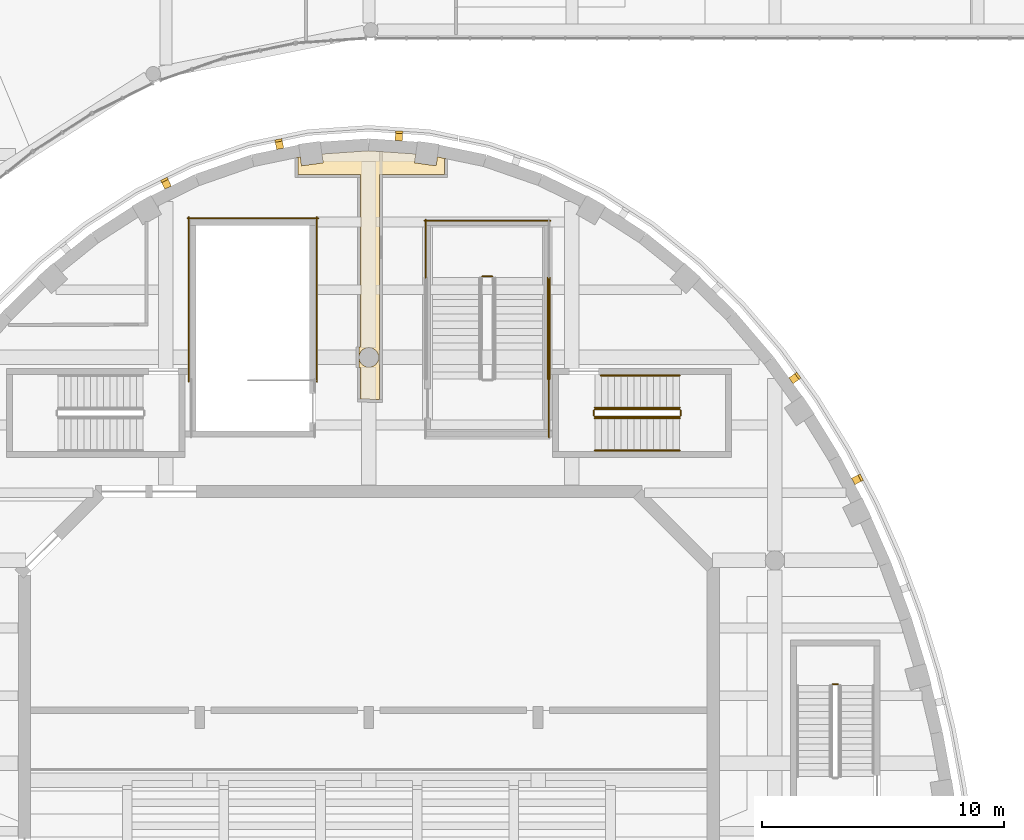
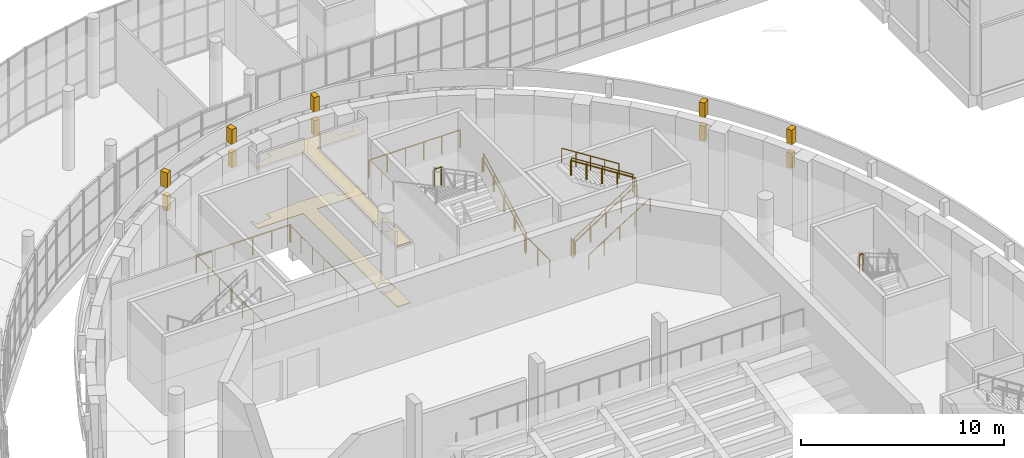
# One storey, part 112 of 119: 18 railings, 12 coverings.
"""IFC4 building model written with IfcOpenShell, lengths in metres."""

from ifc_helpers import new_model, si_unit, direction, frame, origin, origin_2d, place, context, subcontext, project, spatial, polyline, rectangle, circle, outline, extrude, material, layer, layer_set, type_object, element, save


model = new_model("IFC4")

# Units and contexts
model_context = context("Model", 3, precision=1e-05, world=origin(), true_north=direction((0.0, 1.0)))
body_context = subcontext(model_context, "Body", "Model", "MODEL_VIEW")
ifc_project = project(units=[si_unit("LENGTHUNIT", "METRE"), si_unit("AREAUNIT", "SQUARE_METRE"), si_unit("VOLUMEUNIT", "CUBIC_METRE"), si_unit("PLANEANGLEUNIT", "RADIAN"), si_unit("MASSUNIT", "GRAM", prefix="KILO")], contexts=[model_context])

# Site, building, storey
site_placement = place(None, origin())
site = spatial("IfcSite", under=ifc_project, at=site_placement, CompositionType="ELEMENT")
building_placement = place(site_placement, origin())
building = spatial("IfcBuilding", under=site, at=building_placement, Name="Larchfold Concert Hall", CompositionType="ELEMENT")
storey_placement = place(building_placement, frame((0.0, 0.0, 4.800048828125)))
storey = spatial("IfcBuildingStorey", under=building, at=storey_placement, Name="L01", CompositionType="ELEMENT", Elevation=4.800048828125)

# Coverings
ifc_material_1 = material(Name="Mineral fibre ceiling tile")
ifc_layer_1 = layer(ifc_material_1, 0.02001953125)
ifc_layer_set_1 = layer_set([ifc_layer_1], Name="Mineral fibre ceiling tile")
covering_type_1 = type_object("IfcCoveringType", Name="Ceiling mineral fibre tile 20", PredefinedType="CEILING", material=ifc_layer_set_1)
covering_1_placement = place(storey_placement, frame((0.0, 0.0, 3.679931640625)))
element("IfcCovering", 1, at=covering_1_placement, inside=storey, type_object=covering_type_1, Name="Ceiling Public Toilets", PredefinedType="CEILING", context=body_context, shape_type="SweptSolid", body=[
    extrude(outline(polyline([(39.66357421875, 118.049560546875), (39.67041015625, 117.3154296875), (39.67041015625, 117.361572265625), (42.261474609375, 117.361572265625), (42.261474609375, 110.219970703125), (42.199951171875, 110.219970703125), (42.199951171875, 109.86181640625), (42.224853515625, 109.955322265625), (42.27783203125, 110.046875), (42.31298828125, 110.087158203125), (42.353271484375, 110.122314453125), (42.444580078125, 110.175048828125), (42.4951171875, 110.1923828125), (42.60009765625, 110.2060546875), (42.705078125, 110.1923828125), (42.755615234375, 110.175048828125), (42.846923828125, 110.122314453125), (42.88720703125, 110.087158203125), (42.92236328125, 110.046875), (42.975341796875, 109.955322265625), (43.00244140625, 109.853271484375), (43.006103515625, 109.800048828125), (43.00244140625, 109.746826171875), (42.975341796875, 109.644775390625), (42.92236328125, 109.55322265625), (42.88720703125, 109.512939453125), (42.846923828125, 109.477783203125), (42.755615234375, 109.425048828125), (42.705078125, 109.40771484375), (42.60009765625, 109.39404296875), (42.4951171875, 109.40771484375), (42.444580078125, 109.425048828125), (42.35302734375, 109.477783203125), (42.27783203125, 109.552978515625), (42.224853515625, 109.644775390625), (42.199951171875, 109.73828125), (42.199951171875, 109.380126953125), (42.261474609375, 109.380126953125), (42.261474609375, 108.071533203125), (42.199951171875, 108.071533203125), (43.031494140625, 108.064208984375), (43.03857421875, 117.361572265625), (45.792724609375, 117.361572265625), (45.730224609375, 117.3623046875), (45.7373046875, 118.0078125), (45.799560546875, 118.007080078125), (45.799560546875, 118.017333984375), (45.433837890625, 118.093017578125), (45.383544921875, 117.7275390625), (44.491943359375, 117.8505859375), (44.542236328125, 118.215576171875), (42.60009765625, 118.349609375), (40.657958984375, 118.215576171875), (40.708251953125, 117.8505859375), (39.816650390625, 117.7275390625), (39.766357421875, 118.093017578125), (39.6005859375, 118.05859375), (39.6005859375, 118.049072265625), (39.66357421875, 118.049560546875)])), origin(), (0.0, 0.0, 1.0), 0.02001953125),
])
ifc_material_2 = material(Name="Ceramic tile")
ifc_layer_2 = layer(ifc_material_2, 0.030029296875)
ifc_layer_set_2 = layer_set([ifc_layer_2], Name="Ceramic tile")
covering_type_2 = type_object("IfcCoveringType", Name="Floor finish ceramic tile 30", PredefinedType="FLOORING", material=ifc_layer_set_2)
covering_2_placement = place(storey_placement, origin())
element("IfcCovering", 2, at=covering_2_placement, inside=storey, type_object=covering_type_2, Name="Floor finish Public Toilets", PredefinedType="FLOORING", context=body_context, shape_type="SweptSolid", body=[
    extrude(outline(polyline([(39.66357421875, 118.049560546875), (39.67041015625, 117.3154296875), (39.67041015625, 117.361572265625), (42.261474609375, 117.361572265625), (42.261474609375, 110.219970703125), (42.199951171875, 110.219970703125), (42.199951171875, 109.86181640625), (42.224853515625, 109.955322265625), (42.27783203125, 110.046875), (42.31298828125, 110.087158203125), (42.353271484375, 110.122314453125), (42.444580078125, 110.175048828125), (42.4951171875, 110.1923828125), (42.60009765625, 110.2060546875), (42.705078125, 110.1923828125), (42.755615234375, 110.175048828125), (42.846923828125, 110.122314453125), (42.88720703125, 110.087158203125), (42.92236328125, 110.046875), (42.975341796875, 109.955322265625), (43.00244140625, 109.853271484375), (43.006103515625, 109.800048828125), (43.00244140625, 109.746826171875), (42.975341796875, 109.644775390625), (42.92236328125, 109.55322265625), (42.88720703125, 109.512939453125), (42.846923828125, 109.477783203125), (42.755615234375, 109.425048828125), (42.705078125, 109.40771484375), (42.60009765625, 109.39404296875), (42.4951171875, 109.40771484375), (42.444580078125, 109.425048828125), (42.35302734375, 109.477783203125), (42.27783203125, 109.552978515625), (42.224853515625, 109.644775390625), (42.199951171875, 109.73828125), (42.199951171875, 109.380126953125), (42.261474609375, 109.380126953125), (42.261474609375, 108.071533203125), (42.199951171875, 108.071533203125), (43.031494140625, 108.064208984375), (43.03857421875, 117.361572265625), (45.792724609375, 117.361572265625), (45.730224609375, 117.3623046875), (45.7373046875, 118.0078125), (45.799560546875, 118.007080078125), (45.799560546875, 118.017333984375), (45.433837890625, 118.093017578125), (45.383544921875, 117.7275390625), (44.491943359375, 117.8505859375), (44.542236328125, 118.215576171875), (42.60009765625, 118.349609375), (40.657958984375, 118.215576171875), (40.708251953125, 117.8505859375), (39.816650390625, 117.7275390625), (39.766357421875, 118.093017578125), (39.6005859375, 118.05859375), (39.6005859375, 118.049072265625), (39.66357421875, 118.049560546875)])), origin(), (0.0, 0.0, 1.0), 0.030029296875),
])
ifc_material_3 = material(Name="Galvanised steel bracket", Category="steel")
ifc_layer_3 = layer(ifc_material_3, 0.300048828125)
ifc_layer_set_3 = layer_set([ifc_layer_3], Name="Galvanised steel bracket")
covering_type_3 = type_object("IfcCoveringType", Name="Ring support bracket", PredefinedType="CLADDING", material=ifc_layer_set_3)
for number, where, z_axis, x_axis, name in (
    (3, (62.771484375, 104.7333984375, 3.35009765625), (0.0, 0.0, 1.0), (0.88627377699, 0.463161734409, 0.0), "Ring bracket BR-R01-05"),
    (4, (60.18798828125, 108.919189453125, 3.35009765625), (0.0, 0.0, 1.0), (0.809814943436, 0.586685398989, 0.0), "Ring bracket BR-R01-06"),
    (5, (43.8408203125, 118.91552734375, 3.35009765625), (0.0, 0.0, 1.0), (0.068693386901, 0.997637819349, 0.0), "Ring bracket BR-R01-10"),
    (6, (38.90185546875, 118.57763671875, 3.35009765625), (0.0, 0.0, 1.0), (-0.203080334215, 0.979162079461, 0.0), "Ring bracket BR-R01-11"),
    (7, (34.227294921875, 116.959716796875, 3.35009765625), (0.0, 0.0, 1.0), (-0.44236895234, 0.89683315617, 0.0), "Ring bracket BR-R01-12"),
):
    element("IfcCovering", number, at=place(storey_placement, frame(where, z_axis=z_axis, x_axis=x_axis)), inside=storey, type_object=covering_type_3, Name=name, PredefinedType="CLADDING", context=body_context, shape_type="SweptSolid", body=[
        extrude(rectangle(XDim=0.300048828125, YDim=0.300048828125, at=origin_2d()), origin(), (0.0, 0.0, 1.0), 0.89990234375),
    ])
for number, where, z_axis, x_axis, name in (
    (8, (62.81591796875, 104.75634765625, 4.75), (0.0, 0.0, 1.0), (0.88627377699, 0.463161734409, 0.0), "Ring bracket BR-R02-05"),
    (9, (60.228515625, 108.948486328125, 4.75), (0.0, 0.0, 1.0), (0.809814943436, 0.586685398989, 0.0), "Ring bracket BR-R02-06"),
    (10, (43.84423828125, 118.96533203125, 4.75), (0.0, 0.0, 1.0), (0.068693386901, 0.997637819349, 0.0), "Ring bracket BR-R02-10"),
    (11, (38.8916015625, 118.626708984375, 4.75), (0.0, 0.0, 1.0), (-0.203080334215, 0.979162079461, 0.0), "Ring bracket BR-R02-11"),
    (12, (34.205322265625, 117.004638671875, 4.75), (0.0, 0.0, 1.0), (-0.44236895234, 0.89683315617, 0.0), "Ring bracket BR-R02-12"),
):
    element("IfcCovering", number, at=place(storey_placement, frame(where, z_axis=z_axis, x_axis=x_axis)), inside=storey, type_object=covering_type_3, Name=name, PredefinedType="CLADDING", context=body_context, shape_type="SweptSolid", body=[
        extrude(rectangle(XDim=0.39990234375, YDim=0.300048828125, at=origin_2d()), origin(), (0.0, 0.0, 1.0), 0.89990234375),
    ])

# Railings
ifc_material_4 = material(Name="Stainless steel balustrade", Category="steel")
railing_type_1 = type_object("IfcRailingType", Name="Stair guard 1100", PredefinedType="GUARDRAIL", material=ifc_material_4)
railing_1_placement = place(storey_placement, frame((62.0, 96.280029296875, 2.39990234375)))
element("IfcRailing", 13, at=railing_1_placement, inside=storey, type_object=railing_type_1, Name="Guard GR0002", PredefinedType="GUARDRAIL", context=body_context, shape_type="SweptSolid", body=[
    extrude(circle(Radius=0.02392578125, at=origin_2d()), frame((0.0, 0.0, 1.076171875), z_axis=(-1.0, 0.0, 0.0), x_axis=(0.0, -1.0, 0.0)), (0.0, 0.0, 1.0), 0.199951171875),
    extrude(circle(Radius=0.02099609375, at=origin_2d()), origin(), (0.0, 0.0, 1.0), 1.052001953125),
    extrude(circle(Radius=0.02099609375, at=origin_2d()), frame((-0.199951171875, 0.0, 0.0)), (0.0, 0.0, 1.0), 1.052001953125),
])
railing_2_placement = place(storey_placement, frame((51.949951171875, 107.349853515625, 0.17138671875)))
element("IfcRailing", 14, at=railing_2_placement, inside=storey, type_object=railing_type_1, Name="Guard GR0005", PredefinedType="GUARDRAIL", context=body_context, shape_type="SweptSolid", body=[
    extrude(circle(Radius=0.02392578125, at=origin_2d()), frame((0.0, 0.0, 1.076171875), z_axis=(0.844219563411, 0.0, 0.53599750816), x_axis=(0.0, 1.0, 0.0)), (0.0, 0.0, 1.0), 4.15771484375),
    extrude(circle(Radius=0.02099609375, at=origin_2d()), origin(), (0.0, 0.0, 1.0), 1.052001953125),
    extrude(circle(Radius=0.02099609375, at=origin_2d()), frame((0.87744140625, 0.0, 0.55712890625)), (0.0, 0.0, 1.0), 1.052001953125),
    extrude(circle(Radius=0.02099609375, at=origin_2d()), frame((1.7548828125, 0.0, 1.1142578125)), (0.0, 0.0, 1.0), 1.052001953125),
    extrude(circle(Radius=0.02099609375, at=origin_2d()), frame((2.632568359375, 0.0, 1.67138671875)), (0.0, 0.0, 1.0), 1.052001953125),
    extrude(circle(Radius=0.02099609375, at=origin_2d()), frame((3.510009765625, 0.0, 2.228515625)), (0.0, 0.0, 1.0), 1.052001953125),
])
railing_3_placement = place(storey_placement, frame((55.510009765625, 107.39990234375, 2.39990234375)))
element("IfcRailing", 15, at=railing_3_placement, inside=storey, type_object=railing_type_1, Name="Guard GR0006", PredefinedType="GUARDRAIL", context=body_context, shape_type="SweptSolid", body=[
    extrude(circle(Radius=0.02392578125, at=origin_2d()), frame((0.0, 0.0, 1.076171875), z_axis=(0.0, 1.0, 0.0), x_axis=(-1.0, 0.0, 0.0)), (0.0, 0.0, 1.0), 0.199951171875),
    extrude(circle(Radius=0.02099609375, at=origin_2d()), origin(), (0.0, 0.0, 1.0), 1.052001953125),
    extrude(circle(Radius=0.02099609375, at=origin_2d()), frame((0.0, 0.199951171875, 0.0)), (0.0, 0.0, 1.0), 1.052001953125),
])
railing_4_placement = place(storey_placement, frame((55.4599609375, 107.64990234375, 2.5712890625)))
element("IfcRailing", 16, at=railing_4_placement, inside=storey, type_object=railing_type_1, Name="Guard GR0007", PredefinedType="GUARDRAIL", context=body_context, shape_type="SweptSolid", body=[
    extrude(circle(Radius=0.02392578125, at=origin_2d()), frame((0.0, 0.0, 1.076171875), z_axis=(-0.844192992368, 0.0, 0.536039356425), x_axis=(0.0, -1.0, 0.0)), (0.0, 0.0, 1.0), 4.15771484375),
    extrude(circle(Radius=0.02099609375, at=origin_2d()), origin(), (0.0, 0.0, 1.0), 1.052001953125),
    extrude(circle(Radius=0.02099609375, at=origin_2d()), frame((-0.87744140625, 0.0, 0.55712890625)), (0.0, 0.0, 1.0), 1.052001953125),
    extrude(circle(Radius=0.02099609375, at=origin_2d()), frame((-1.7548828125, 0.0, 1.1142578125)), (0.0, 0.0, 1.0), 1.052001953125),
    extrude(circle(Radius=0.02099609375, at=origin_2d()), frame((-2.632568359375, 0.0, 1.671630859375)), (0.0, 0.0, 1.0), 1.052001953125),
    extrude(circle(Radius=0.02099609375, at=origin_2d()), frame((-3.510009765625, 0.0, 2.228759765625)), (0.0, 0.0, 1.0), 1.052001953125),
])
railing_5_placement = place(storey_placement, frame((51.89990234375, 107.39990234375, 0.0)))
element("IfcRailing", 17, at=railing_5_placement, inside=storey, type_object=railing_type_1, Name="Guard GR0008", PredefinedType="GUARDRAIL", context=body_context, shape_type="SweptSolid", body=[
    extrude(circle(Radius=0.02392578125, at=origin_2d()), frame((0.0, 0.0, 1.076171875), z_axis=(0.0, 1.0, 0.0), x_axis=(-1.0, 0.0, 0.0)), (0.0, 0.0, 1.0), 0.199951171875),
    extrude(circle(Radius=0.02099609375, at=origin_2d()), origin(), (0.0, 0.0, 1.0), 1.052001953125),
    extrude(circle(Radius=0.02099609375, at=origin_2d()), frame((0.0, 0.199951171875, 0.0)), (0.0, 0.0, 1.0), 1.052001953125),
])
for number, where, name in (
    (18, (40.449951171875, 108.800048828125, 0.0), "Guard GR0102"),
    (19, (35.14990234375, 108.800048828125, 0.0), "Guard GR0103"),
):
    element("IfcRailing", number, at=place(storey_placement, frame(where)), inside=storey, type_object=railing_type_1, Name=name, PredefinedType="GUARDRAIL", context=body_context, shape_type="SweptSolid", body=[
        extrude(circle(Radius=0.02392578125, at=origin_2d()), frame((0.0, 0.0, 1.076171875), z_axis=(0.0, 1.0, 0.0), x_axis=(-1.0, 0.0, 0.0)), (0.0, 0.0, 1.0), 6.800048828125),
        extrude(circle(Radius=0.02099609375, at=origin_2d()), origin(), (0.0, 0.0, 1.0), 1.052001953125),
        extrude(circle(Radius=0.02099609375, at=origin_2d()), frame((0.0, 1.13330078125, 0.0)), (0.0, 0.0, 1.0), 1.052001953125),
        extrude(circle(Radius=0.02099609375, at=origin_2d()), frame((0.0, 2.2666015625, 0.0)), (0.0, 0.0, 1.0), 1.052001953125),
        extrude(circle(Radius=0.02099609375, at=origin_2d()), frame((0.0, 3.39990234375, 0.0)), (0.0, 0.0, 1.0), 1.052001953125),
        extrude(circle(Radius=0.02099609375, at=origin_2d()), frame((0.0, 4.533447265625, 0.0)), (0.0, 0.0, 1.0), 1.052001953125),
        extrude(circle(Radius=0.02099609375, at=origin_2d()), frame((0.0, 5.666748046875, 0.0)), (0.0, 0.0, 1.0), 1.052001953125),
        extrude(circle(Radius=0.02099609375, at=origin_2d()), frame((0.0, 6.800048828125, 0.0)), (0.0, 0.0, 1.0), 1.052001953125),
    ])
railing_6_placement = place(storey_placement, frame((40.5, 115.550048828125, 0.0)))
element("IfcRailing", 20, at=railing_6_placement, inside=storey, type_object=railing_type_1, Name="Guard GR0104", PredefinedType="GUARDRAIL", context=body_context, shape_type="SweptSolid", body=[
    extrude(circle(Radius=0.02392578125, at=origin_2d()), frame((0.0, 0.0, 1.076171875), z_axis=(-1.0, 0.0, 0.0), x_axis=(0.0, -1.0, 0.0)), (0.0, 0.0, 1.0), 5.400146484375),
    extrude(circle(Radius=0.02099609375, at=origin_2d()), origin(), (0.0, 0.0, 1.0), 1.052001953125),
    extrude(circle(Radius=0.02099609375, at=origin_2d()), frame((-1.080078125, 0.0, 0.0)), (0.0, 0.0, 1.0), 1.052001953125),
    extrude(circle(Radius=0.02099609375, at=origin_2d()), frame((-2.16015625, 0.0, 0.0)), (0.0, 0.0, 1.0), 1.052001953125),
    extrude(circle(Radius=0.02099609375, at=origin_2d()), frame((-3.239990234375, 0.0, 0.0)), (0.0, 0.0, 1.0), 1.052001953125),
    extrude(circle(Radius=0.02099609375, at=origin_2d()), frame((-4.320068359375, 0.0, 0.0)), (0.0, 0.0, 1.0), 1.052001953125),
    extrude(circle(Radius=0.02099609375, at=origin_2d()), frame((-5.400146484375, 0.0, 0.0)), (0.0, 0.0, 1.0), 1.052001953125),
])
railing_7_placement = place(storey_placement, frame((47.7001953125, 113.14990234375, 2.39990234375)))
element("IfcRailing", 21, at=railing_7_placement, inside=storey, type_object=railing_type_1, Name="Guard GR0108", PredefinedType="GUARDRAIL", context=body_context, shape_type="SweptSolid", body=[
    extrude(circle(Radius=0.02392578125, at=origin_2d()), frame((0.0, 0.0, 1.076171875), z_axis=(-1.0, 0.0, 0.0), x_axis=(0.0, -1.0, 0.0)), (0.0, 0.0, 1.0), 0.400146484375),
    extrude(circle(Radius=0.02099609375, at=origin_2d()), origin(), (0.0, 0.0, 1.0), 1.052001953125),
    extrude(circle(Radius=0.02099609375, at=origin_2d()), frame((-0.400146484375, 0.0, 0.0)), (0.0, 0.0, 1.0), 1.052001953125),
])
railing_8_placement = place(storey_placement, frame((44.9501953125, 113.10009765625, 2.39990234375)))
element("IfcRailing", 22, at=railing_8_placement, inside=storey, type_object=railing_type_1, Name="Guard GR0110", PredefinedType="GUARDRAIL", context=body_context, shape_type="SweptSolid", body=[
    extrude(circle(Radius=0.02392578125, at=origin_2d()), frame((0.0, 0.0, 1.076171875), z_axis=(0.0, 1.0, 0.0), x_axis=(-1.0, 0.0, 0.0)), (0.0, 0.0, 1.0), 2.39990234375),
    extrude(circle(Radius=0.02099609375, at=origin_2d()), origin(), (0.0, 0.0, 1.0), 1.052001953125),
    extrude(circle(Radius=0.02099609375, at=origin_2d()), frame((0.0, 1.199951171875, 0.0)), (0.0, 0.0, 1.0), 1.052001953125),
    extrude(circle(Radius=0.02099609375, at=origin_2d()), frame((0.0, 2.39990234375, 0.0)), (0.0, 0.0, 1.0), 1.052001953125),
])
railing_9_placement = place(storey_placement, frame((50.10009765625, 115.449951171875, 2.39990234375)))
element("IfcRailing", 23, at=railing_9_placement, inside=storey, type_object=railing_type_1, Name="Guard GR0111", PredefinedType="GUARDRAIL", context=body_context, shape_type="SweptSolid", body=[
    extrude(circle(Radius=0.02392578125, at=origin_2d()), frame((0.0, 0.0, 1.076171875), z_axis=(-1.0, 0.0, 0.0), x_axis=(0.0, -1.0, 0.0)), (0.0, 0.0, 1.0), 5.199951171875),
    extrude(circle(Radius=0.02099609375, at=origin_2d()), origin(), (0.0, 0.0, 1.0), 1.052001953125),
    extrude(circle(Radius=0.02099609375, at=origin_2d()), frame((-1.0400390625, 0.0, 0.0)), (0.0, 0.0, 1.0), 1.052001953125),
    extrude(circle(Radius=0.02099609375, at=origin_2d()), frame((-2.080078125, 0.0, 0.0)), (0.0, 0.0, 1.0), 1.052001953125),
    extrude(circle(Radius=0.02099609375, at=origin_2d()), frame((-3.119873046875, 0.0, 0.0)), (0.0, 0.0, 1.0), 1.052001953125),
    extrude(circle(Radius=0.02099609375, at=origin_2d()), frame((-4.159912109375, 0.0, 0.0)), (0.0, 0.0, 1.0), 1.052001953125),
    extrude(circle(Radius=0.02099609375, at=origin_2d()), frame((-5.199951171875, 0.0, 0.0)), (0.0, 0.0, 1.0), 1.052001953125),
])
railing_10_placement = place(storey_placement, frame((50.050048828125, 106.5, 0.0)))
element("IfcRailing", 24, at=railing_10_placement, inside=storey, type_object=railing_type_1, Name="Guard GR0114", PredefinedType="GUARDRAIL", context=body_context, shape_type="SweptSolid", body=[
    extrude(circle(Radius=0.02392578125, at=origin_2d()), frame((0.0, 0.0, 1.076171875), z_axis=(0.0, 1.0, 0.0), x_axis=(-1.0, 0.0, 0.0)), (0.0, 0.0, 1.0), 2.39990234375),
    extrude(circle(Radius=0.02099609375, at=origin_2d()), origin(), (0.0, 0.0, 1.0), 1.052001953125),
    extrude(circle(Radius=0.02099609375, at=origin_2d()), frame((0.0, 1.199951171875, 0.0)), (0.0, 0.0, 1.0), 1.052001953125),
    extrude(circle(Radius=0.02099609375, at=origin_2d()), frame((0.0, 2.39990234375, 0.0)), (0.0, 0.0, 1.0), 1.052001953125),
])
railing_11_placement = place(storey_placement, frame((50.080078125, 108.89990234375, 0.159912109375)))
element("IfcRailing", 25, at=railing_11_placement, inside=storey, type_object=railing_type_1, Name="Guard GR0116", PredefinedType="GUARDRAIL", context=body_context, shape_type="SweptSolid", body=[
    extrude(circle(Radius=0.02392578125, at=origin_2d()), frame((0.0, 0.0, 1.076171875), z_axis=(0.0, 0.882362879185, 0.470569601054), x_axis=(-1.0, 0.0, 0.0)), (0.0, 0.0, 1.0), 4.76025390625),
    extrude(circle(Radius=0.02099609375, at=origin_2d()), origin(), (0.0, 0.0, 1.0), 1.052001953125),
    extrude(circle(Radius=0.02099609375, at=origin_2d()), frame((0.0, 1.050048828125, 0.56005859375)), (0.0, 0.0, 1.0), 1.052001953125),
    extrude(circle(Radius=0.02099609375, at=origin_2d()), frame((0.0, 2.10009765625, 1.1201171875)), (0.0, 0.0, 1.0), 1.052001953125),
    extrude(circle(Radius=0.02099609375, at=origin_2d()), frame((0.0, 3.150146484375, 1.679931640625)), (0.0, 0.0, 1.0), 1.052001953125),
    extrude(circle(Radius=0.02099609375, at=origin_2d()), frame((0.0, 4.2001953125, 2.239990234375)), (0.0, 0.0, 1.0), 1.052001953125),
])
ifc_material_5 = material(Name="Stainless steel handrail", Category="steel")
railing_type_2 = type_object("IfcRailingType", Name="Stair handrail 900", PredefinedType="HANDRAIL", material=ifc_material_5)
railing_12_placement = place(storey_placement, frame((51.949951171875, 105.949951171875, 0.17138671875)))
element("IfcRailing", 26, at=railing_12_placement, inside=storey, type_object=railing_type_2, Name="Handrail HR0005", PredefinedType="HANDRAIL", context=body_context, shape_type="SweptSolid", body=[
    extrude(circle(Radius=0.02392578125, at=origin_2d()), frame((0.0, 0.0, 0.8759765625), z_axis=(0.844219563411, 0.0, 0.53599750816), x_axis=(0.0, 1.0, 0.0)), (0.0, 0.0, 1.0), 4.15771484375),
    extrude(circle(Radius=0.02099609375, at=origin_2d()), origin(), (0.0, 0.0, 1.0), 0.851806640625),
    extrude(circle(Radius=0.02099609375, at=origin_2d()), frame((0.87744140625, 0.0, 0.55712890625)), (0.0, 0.0, 1.0), 0.851806640625),
    extrude(circle(Radius=0.02099609375, at=origin_2d()), frame((1.7548828125, 0.0, 1.1142578125)), (0.0, 0.0, 1.0), 0.851806640625),
    extrude(circle(Radius=0.02099609375, at=origin_2d()), frame((2.632568359375, 0.0, 1.67138671875)), (0.0, 0.0, 1.0), 0.851806640625),
    extrude(circle(Radius=0.02099609375, at=origin_2d()), frame((3.510009765625, 0.0, 2.228515625)), (0.0, 0.0, 1.0), 0.851806640625),
])
railing_13_placement = place(storey_placement, frame((55.4599609375, 109.0498046875, 2.5712890625)))
element("IfcRailing", 27, at=railing_13_placement, inside=storey, type_object=railing_type_2, Name="Handrail HR0006", PredefinedType="HANDRAIL", context=body_context, shape_type="SweptSolid", body=[
    extrude(circle(Radius=0.02392578125, at=origin_2d()), frame((0.0, 0.0, 0.8759765625), z_axis=(-0.844207819342, 0.0, 0.536016005136), x_axis=(0.0, -1.0, 0.0)), (0.0, 0.0, 1.0), 3.861083984375),
    extrude(circle(Radius=0.02099609375, at=origin_2d()), origin(), (0.0, 0.0, 1.0), 0.851806640625),
    extrude(circle(Radius=0.02099609375, at=origin_2d()), frame((-0.81494140625, 0.0, 0.517333984375)), (0.0, 0.0, 1.0), 0.851806640625),
    extrude(circle(Radius=0.02099609375, at=origin_2d()), frame((-1.6298828125, 0.0, 1.03466796875)), (0.0, 0.0, 1.0), 0.851806640625),
    extrude(circle(Radius=0.02099609375, at=origin_2d()), frame((-2.444580078125, 0.0, 1.55224609375)), (0.0, 0.0, 1.0), 0.851806640625),
    extrude(circle(Radius=0.02099609375, at=origin_2d()), frame((-3.259521484375, 0.0, 2.069580078125)), (0.0, 0.0, 1.0), 0.851806640625),
])
railing_14_placement = place(storey_placement, frame((51.949951171875, 107.27978515625, 0.17138671875)))
element("IfcRailing", 28, at=railing_14_placement, inside=storey, type_object=railing_type_2, Name="Handrail HR0007", PredefinedType="HANDRAIL", context=body_context, shape_type="SweptSolid", body=[
    extrude(circle(Radius=0.02392578125, at=origin_2d()), frame((0.0, 0.0, 0.8759765625), z_axis=(0.844219563411, 0.0, 0.53599750816), x_axis=(0.0, 1.0, 0.0)), (0.0, 0.0, 1.0), 4.15771484375),
    extrude(circle(Radius=0.02099609375, at=origin_2d()), origin(), (0.0, 0.0, 1.0), 0.851806640625),
    extrude(circle(Radius=0.02099609375, at=origin_2d()), frame((0.87744140625, 0.0, 0.55712890625)), (0.0, 0.0, 1.0), 0.851806640625),
    extrude(circle(Radius=0.02099609375, at=origin_2d()), frame((1.7548828125, 0.0, 1.1142578125)), (0.0, 0.0, 1.0), 0.851806640625),
    extrude(circle(Radius=0.02099609375, at=origin_2d()), frame((2.632568359375, 0.0, 1.67138671875)), (0.0, 0.0, 1.0), 0.851806640625),
    extrude(circle(Radius=0.02099609375, at=origin_2d()), frame((3.510009765625, 0.0, 2.228515625)), (0.0, 0.0, 1.0), 0.851806640625),
])
railing_15_placement = place(storey_placement, frame((55.4599609375, 107.719970703125, 2.5712890625)))
element("IfcRailing", 29, at=railing_15_placement, inside=storey, type_object=railing_type_2, Name="Handrail HR0008", PredefinedType="HANDRAIL", context=body_context, shape_type="SweptSolid", body=[
    extrude(circle(Radius=0.02392578125, at=origin_2d()), frame((0.0, 0.0, 0.8759765625), z_axis=(-0.844192992368, 0.0, 0.536039356425), x_axis=(0.0, -1.0, 0.0)), (0.0, 0.0, 1.0), 4.15771484375),
    extrude(circle(Radius=0.02099609375, at=origin_2d()), origin(), (0.0, 0.0, 1.0), 0.851806640625),
    extrude(circle(Radius=0.02099609375, at=origin_2d()), frame((-0.87744140625, 0.0, 0.55712890625)), (0.0, 0.0, 1.0), 0.851806640625),
    extrude(circle(Radius=0.02099609375, at=origin_2d()), frame((-1.7548828125, 0.0, 1.1142578125)), (0.0, 0.0, 1.0), 0.851806640625),
    extrude(circle(Radius=0.02099609375, at=origin_2d()), frame((-2.632568359375, 0.0, 1.671630859375)), (0.0, 0.0, 1.0), 0.851806640625),
    extrude(circle(Radius=0.02099609375, at=origin_2d()), frame((-3.510009765625, 0.0, 2.228759765625)), (0.0, 0.0, 1.0), 0.851806640625),
])
railing_16_placement = place(storey_placement, frame((50.010009765625, 108.89990234375, 0.159912109375)))
element("IfcRailing", 30, at=railing_16_placement, inside=storey, type_object=railing_type_2, Name="Handrail HR0098", PredefinedType="HANDRAIL", context=body_context, shape_type="SweptSolid", body=[
    extrude(circle(Radius=0.02392578125, at=origin_2d()), frame((0.0, 0.0, 0.8759765625), z_axis=(0.0, 0.882362879185, 0.470569601054), x_axis=(-1.0, 0.0, 0.0)), (0.0, 0.0, 1.0), 4.76025390625),
    extrude(circle(Radius=0.02099609375, at=origin_2d()), origin(), (0.0, 0.0, 1.0), 0.851806640625),
    extrude(circle(Radius=0.02099609375, at=origin_2d()), frame((0.0, 1.050048828125, 0.56005859375)), (0.0, 0.0, 1.0), 0.851806640625),
    extrude(circle(Radius=0.02099609375, at=origin_2d()), frame((0.0, 2.10009765625, 1.1201171875)), (0.0, 0.0, 1.0), 0.851806640625),
    extrude(circle(Radius=0.02099609375, at=origin_2d()), frame((0.0, 3.150146484375, 1.679931640625)), (0.0, 0.0, 1.0), 0.851806640625),
    extrude(circle(Radius=0.02099609375, at=origin_2d()), frame((0.0, 4.2001953125, 2.239990234375)), (0.0, 0.0, 1.0), 0.851806640625),
])

save(model, "model.ifc")
